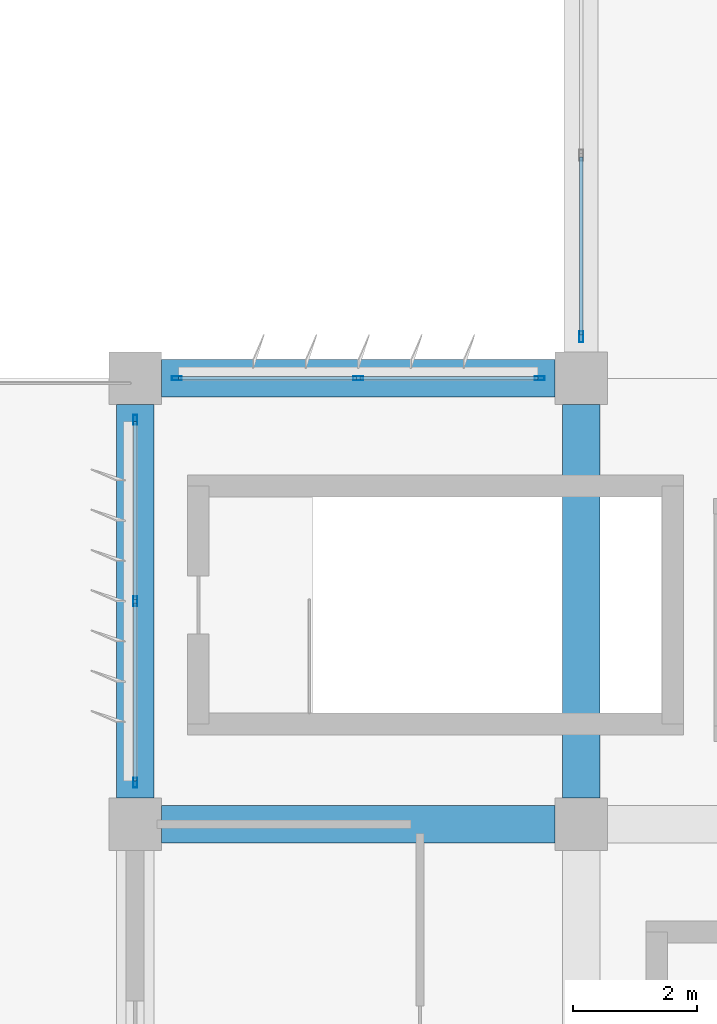
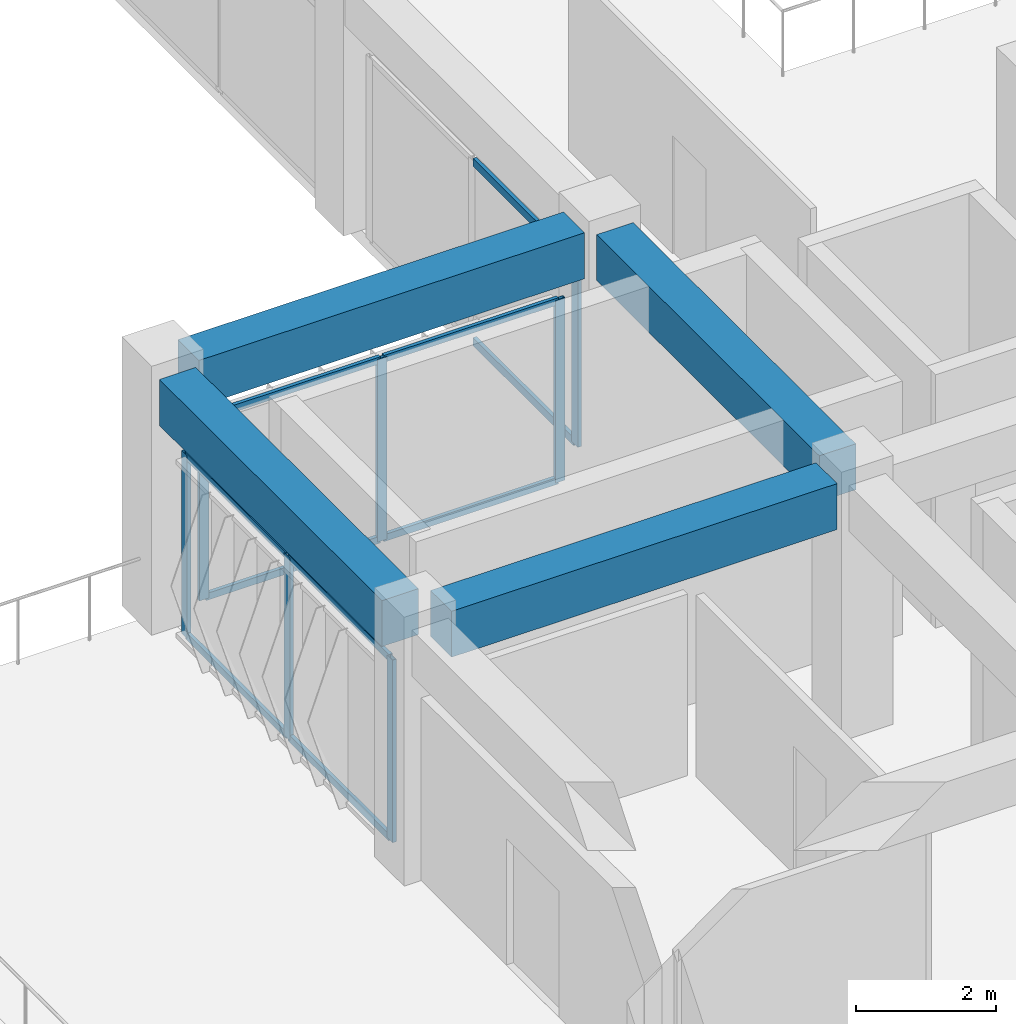
# One storey, part 7 of 55: 17 members, 4 beams, 3 elements without a shape of their own.
"""IFC4 building model written with IfcOpenShell, lengths in metres."""

import ifcopenshell
import ifcopenshell.guid

model = None  # the IFC model being written
_history = None  # IfcOwnerHistory: only IFC2X3 demands one
_inside = {}  # id of a spatial element -> (the spatial element, [elements in it])
_under = {}  # id of a project, library or spatial element -> (it, [spatial elements below it])
_declared = {}  # id of a project -> (the project, [libraries it declares])
_typed = {}  # id of a type object -> (the type object, [elements of that type])
_made_of = {}  # id of a material, layer set ... -> (it, [elements and type objects made of it])


def new_model(schema):
    """Start an empty IFC model of exactly this schema.

    Asked for "IFC4X3", IfcOpenShell would pick the latest addendum, in which some entities
    have other attributes; the version numbers below select the first issue.
    IFC2X3 requires an IfcOwnerHistory on every rooted entity: one is made here for all.
    """
    global model, _history
    if schema == "IFC4X3":
        model = ifcopenshell.file(schema_version=(4, 3, 0, 0))
    else:
        model = ifcopenshell.file(schema=schema)
    _inside.clear()
    _under.clear()
    _declared.clear()
    _typed.clear()
    _made_of.clear()
    _history = None
    if model.schema == "IFC2X3":
        org = make("IfcOrganization", Name="unknown")
        user = make(
            "IfcPersonAndOrganization",
            ThePerson=make("IfcPerson", FamilyName="unknown"),
            TheOrganization=org,
        )
        app = make(
            "IfcApplication",
            ApplicationDeveloper=org,
            Version="unknown",
            ApplicationFullName="unknown",
            ApplicationIdentifier="unknown",
        )
        _history = make(
            "IfcOwnerHistory",
            OwningUser=user,
            OwningApplication=app,
            ChangeAction="ADDED",
            CreationDate=0,
        )
    return model


def make(cls, **values):
    """One entity of the class cls with the attributes given. An attribute that is None is left unset."""
    return model.create_entity(
        cls, **{name: value for name, value in values.items() if value is not None}
    )


def rooted(cls, **values):
    """An entity with a GlobalId (a new one), such as an element, a storey or a relation."""
    return make(cls, GlobalId=ifcopenshell.guid.new(), OwnerHistory=_history, **values)


def si_unit(unit_type, name, prefix=None):
    """IfcSIUnit, for example si_unit("LENGTHUNIT", "METRE", prefix="MILLI")."""
    return make("IfcSIUnit", UnitType=unit_type, Prefix=prefix, Name=name)


def assignment(units):
    """IfcUnitAssignment: the units of a project."""
    return None if units is None else make("IfcUnitAssignment", Units=units)


def point(xyz):
    """IfcCartesianPoint."""
    return None if xyz is None else make("IfcCartesianPoint", Coordinates=xyz)


def direction(xyz):
    """IfcDirection."""
    return None if xyz is None else make("IfcDirection", DirectionRatios=xyz)


def frame(location, z_axis=None, x_axis=None):
    """IfcAxis2Placement3D, a coordinate frame: its origin and axes. An axis left out is left unset."""
    return make(
        "IfcAxis2Placement3D",
        Location=point(location),
        Axis=direction(z_axis),
        RefDirection=direction(x_axis),
    )


def frame_2d(location, x_axis=None):
    """IfcAxis2Placement2D, a coordinate frame in the plane: its origin and x axis."""
    return make(
        "IfcAxis2Placement2D", Location=point(location), RefDirection=direction(x_axis)
    )


def origin():
    """The frame at (0, 0, 0) with its axes left unset."""
    return frame((0.0, 0.0, 0.0))


def origin_2d():
    """The frame at (0, 0) in the plane with its x axis left unset."""
    return frame_2d((0.0, 0.0))


def place(relative_to, where):
    """IfcLocalPlacement: puts the frame where relative to a parent placement (None: the world)."""
    return make(
        "IfcLocalPlacement", PlacementRelTo=relative_to, RelativePlacement=where
    )


def context(
    kind, dimensions, precision=None, world=None, true_north=None, identifier=None
):
    """IfcGeometricRepresentationContext, for example the 3D "Model" context."""
    return make(
        "IfcGeometricRepresentationContext",
        ContextIdentifier=identifier,
        ContextType=kind,
        CoordinateSpaceDimension=dimensions,
        Precision=precision,
        WorldCoordinateSystem=world,
        TrueNorth=true_north,
    )


def subcontext(parent, identifier, kind, view, scale=None):
    """IfcGeometricRepresentationSubContext, for example "Body" below "Model"."""
    return make(
        "IfcGeometricRepresentationSubContext",
        ContextIdentifier=identifier,
        ContextType=kind,
        ParentContext=parent,
        TargetScale=scale,
        TargetView=view,
    )


def project(units=None, contexts=None):
    """IfcProject with its units and contexts."""
    return rooted(
        "IfcProject",
        Name="project",
        RepresentationContexts=contexts,
        UnitsInContext=assignment(units),
    )


def spatial(cls, under=None, at=None, **own):
    """A site, building, storey or space (cls), placed at a placement, below another one or the project."""
    s = rooted(cls, ObjectPlacement=at, **own)
    if under is not None:
        _under.setdefault(under.id(), (under, []))[1].append(s)
    return s


def profile(cls, at=None, kind="AREA", **sizes):
    """A parametric profile (cls). Its sizes go by their IFC names, for example OverallWidth=200.0."""
    return make(cls, ProfileType=kind, Position=at, **sizes)


def rectangle(**sizes):
    """IfcRectangleProfileDef."""
    return profile("IfcRectangleProfileDef", **sizes)


def hollow_rectangle(**sizes):
    """IfcRectangleHollowProfileDef."""
    return profile("IfcRectangleHollowProfileDef", **sizes)


def extrude(swept, where, along, depth):
    """IfcExtrudedAreaSolid: the profile swept, set in the frame where, extruded along a direction by depth."""
    return make(
        "IfcExtrudedAreaSolid",
        SweptArea=swept,
        Position=where,
        ExtrudedDirection=direction(along),
        Depth=depth,
    )


def shape(context_of_items, identifier, shape_type, items):
    """IfcShapeRepresentation: the items that make up one representation, for example the "Body"."""
    return make(
        "IfcShapeRepresentation",
        ContextOfItems=context_of_items,
        RepresentationIdentifier=identifier,
        RepresentationType=shape_type,
        Items=items,
    )


def material(Name=None, Category=None):
    """IfcMaterial."""
    return make("IfcMaterial", Name=Name, Category=Category)


def material_profile(
    of_material, cross_section, Name=None, Category=None, Priority=None
):
    """IfcMaterialProfile: a cross section and its material."""
    return make(
        "IfcMaterialProfile",
        Name=Name,
        Material=of_material,
        Profile=cross_section,
        Priority=Priority,
        Category=Category,
    )


def profile_set(profiles, Name=None, composite=None):
    """IfcMaterialProfileSet."""
    return make(
        "IfcMaterialProfileSet",
        Name=Name,
        MaterialProfiles=profiles,
        CompositeProfile=composite,
    )


def made_of(thing, what):
    """Note that an element or type object is made of a material, layer set ...; save() writes the relation."""
    if what is not None:
        _made_of.setdefault(what.id(), (what, []))[1].append(thing)
    return thing


def type_object(cls, material=None, **own):
    """A type object (cls), such as IfcWallType, which elements share."""
    return made_of(rooted(cls, **own), material)


def element(
    cls,
    number,
    at=None,
    inside=None,
    cuts=None,
    type_object=None,
    material=None,
    context=None,
    identifier="Body",
    shape_type=None,
    held_by="IfcProductDefinitionShape",
    body=None,
    shapes=None,
    **own,
):
    """One element of the class cls, such as IfcWall. Its Tag is "e" and its number.

    at: its placement. inside: the storey or other place that contains it. cuts: it is an
    opening in that element (IfcRelVoidsElement). A single representation is given by context,
    identifier, shape_type and body (its items); several are given by shapes. held_by: the class
    of the entity that holds the representations. save() writes the other relations.
    """
    e = rooted(cls, Tag="e%d" % number, ObjectPlacement=at, **own)
    if body is not None:
        shapes = [shape(context, identifier, shape_type, body)]
    if shapes is not None:
        e.Representation = make(held_by, Representations=shapes)
    if inside is not None:
        _inside.setdefault(inside.id(), (inside, []))[1].append(e)
    if cuts is not None:
        rooted(
            "IfcRelVoidsElement", RelatingBuildingElement=cuts, RelatedOpeningElement=e
        )
    if type_object is not None:
        _typed.setdefault(type_object.id(), (type_object, []))[1].append(e)
    return made_of(e, material)


def aggregate(whole, parts):
    """IfcRelAggregates: a whole, such as a stair, and the parts it consists of."""
    return rooted("IfcRelAggregates", RelatingObject=whole, RelatedObjects=parts)


def save(model, path):
    """Write the relations noted so far, then the file.

    IfcRelAggregates (storeys below a building ...), IfcRelContainedInSpatialStructure (elements
    in a storey), IfcRelDefinesByType, IfcRelAssociatesMaterial and IfcRelDeclares: one each for
    every whole, place, type object, material and project.
    """
    for whole, parts in _under.values():
        aggregate(whole, parts)
    for where, things in _inside.values():
        rooted(
            "IfcRelContainedInSpatialStructure",
            RelatedElements=things,
            RelatingStructure=where,
        )
    for kind, things in _typed.values():
        rooted("IfcRelDefinesByType", RelatedObjects=things, RelatingType=kind)
    for what, things in _made_of.values():
        rooted("IfcRelAssociatesMaterial", RelatedObjects=things, RelatingMaterial=what)
    for by, libraries in _declared.values():
        rooted("IfcRelDeclares", RelatingContext=by, RelatedDefinitions=libraries)
    model.write(path)


model = new_model("IFC4")

# Units and contexts
model_context = context("Model", 3, precision=1e-05, world=origin(), true_north=direction((0.0, 1.0)))
body_context = subcontext(model_context, "Body", "Model", "MODEL_VIEW")
ifc_project = project(units=[si_unit("LENGTHUNIT", "METRE"), si_unit("AREAUNIT", "SQUARE_METRE"), si_unit("VOLUMEUNIT", "CUBIC_METRE"), si_unit("PLANEANGLEUNIT", "RADIAN"), si_unit("MASSUNIT", "GRAM", prefix="KILO")], contexts=[model_context])

# Site, building, storey
site_placement = place(None, origin())
site = spatial("IfcSite", under=ifc_project, at=site_placement, CompositionType="ELEMENT")
building_placement = place(site_placement, origin())
building = spatial("IfcBuilding", under=site, at=building_placement, Name="Kazehaya Institute of Natural Sciences", CompositionType="ELEMENT")
storey_placement = place(building_placement, frame((0.0, 0.0, 15.1201171875)))
storey = spatial("IfcBuildingStorey", under=building, at=storey_placement, Name="L03", CompositionType="ELEMENT", Elevation=15.1201171875)

# Beams
ifc_material_1 = material(Name="Concrete Fc36", Category="concrete")
ifc_material_profile_1 = material_profile(ifc_material_1, rectangle(XDim=0.60009765625, YDim=0.800048828125, at=origin_2d()), Name="RC-600x800")
ifc_profile_set_1 = profile_set([ifc_material_profile_1], Name="Concrete Fc36")
beam_type = type_object("IfcBeamType", Name="BM-G-600x800", PredefinedType="BEAM", material=ifc_profile_set_1)
for number, where, z_axis, x_axis, name in (
    (1, (55.02490234375, 28.39990234375, 4.009765625), (1.0, 0.0, 0.0), (0.0, 1.0, 0.0), "L03 primary X girder BMX-L03-546-284"),
    (2, (55.02490234375, 35.60009765625, 4.009765625), (1.0, 0.0, 0.0), (0.0, 1.0, 0.0), "L03 primary X girder BMX-L03-546-356"),
    (3, (54.60009765625, 28.824951171875, 4.009765625), (0.0, 1.0, 0.0), (-1.0, 0.0, 0.0), "L03 primary Y girder BMY-L03-546-284"),
    (4, (61.800048828125, 28.824951171875, 4.009765625), (0.0, 1.0, 0.0), (-1.0, 0.0, 0.0), "L03 primary Y girder BMY-L03-618-284"),
):
    element("IfcBeam", number, at=place(storey_placement, frame(where, z_axis=z_axis, x_axis=x_axis)), inside=storey, type_object=beam_type, Name=name, PredefinedType="BEAM", context=body_context, shape_type="SweptSolid", body=[
        extrude(rectangle(XDim=0.60009765625, YDim=0.800048828125, at=origin_2d()), origin(), (0.0, 0.0, 1.0), 6.35009765625),
    ])

# Curtain wall, members
ifc_material_2 = material(Name="Aluminium alloy A6063S-T5", Category="aluminium")
curtain_wall_type_1 = type_object("IfcCurtainWallType", Name="CW-SYS-03", PredefinedType="NOTDEFINED", material=ifc_material_2)
curtain_wall_1_placement = place(storey_placement, origin())
curtain_wall_1 = element("IfcCurtainWall", 5, at=curtain_wall_1_placement, inside=storey, type_object=curtain_wall_type_1, Name="L03 unitised curtain wall CW-L03-066", PredefinedType="NOTDEFINED")
ifc_material_profile_2 = material_profile(ifc_material_2, hollow_rectangle(XDim=0.06005859375, YDim=0.159912109375, WallThickness=0.00390625, at=origin_2d()), Name="ALU-60x160x4")
ifc_profile_set_2 = profile_set([ifc_material_profile_2], Name="Aluminium alloy A6063S-T5")
member_type_1 = type_object("IfcMemberType", Name="CWM-160", PredefinedType="MULLION", material=ifc_profile_set_2)
member_1_placement = place(storey_placement, frame((55.27001953125, 35.60009765625, 0.0), z_axis=(0.0, 0.0, 1.0), x_axis=(0.0, 1.0, 0.0)))
member_1 = element("IfcMember", 6, at=member_1_placement, type_object=member_type_1, Name="CW03 mullion 1", PredefinedType="MULLION", context=body_context, shape_type="SweptSolid", body=[
    extrude(hollow_rectangle(XDim=0.06005859375, YDim=0.159912109375, WallThickness=0.00390625, at=origin_2d()), origin(), (0.0, 0.0, 1.0), 3.179931640625),
])
member_2_placement = place(storey_placement, frame((58.199951171875, 35.60009765625, 0.0), z_axis=(0.0, 0.0, 1.0), x_axis=(0.0, 1.0, 0.0)))
member_2 = element("IfcMember", 7, at=member_2_placement, type_object=member_type_1, Name="CW03 mullion 2", PredefinedType="MULLION", context=body_context, shape_type="SweptSolid", body=[
    extrude(hollow_rectangle(XDim=0.06005859375, YDim=0.159912109375, WallThickness=0.00390625, at=origin_2d()), origin(), (0.0, 0.0, 1.0), 3.179931640625),
])
member_3_placement = place(storey_placement, frame((61.1298828125, 35.60009765625, 0.0), z_axis=(0.0, 0.0, 1.0), x_axis=(0.0, 1.0, 0.0)))
member_3 = element("IfcMember", 8, at=member_3_placement, type_object=member_type_1, Name="CW03 mullion 3", PredefinedType="MULLION", context=body_context, shape_type="SweptSolid", body=[
    extrude(hollow_rectangle(XDim=0.06005859375, YDim=0.159912109375, WallThickness=0.00390625, at=origin_2d()), origin(), (0.0, 0.0, 1.0), 3.179931640625),
])

curtain_wall_type_2 = type_object("IfcCurtainWallType", Name="CW-SYS-10", PredefinedType="NOTDEFINED", material=ifc_material_2)
curtain_wall_2_placement = place(storey_placement, origin())
curtain_wall_2 = element("IfcCurtainWall", 9, at=curtain_wall_2_placement, inside=storey, type_object=curtain_wall_type_2, Name="L03 unitised curtain wall CW-L03-073", PredefinedType="NOTDEFINED")
member_4_placement = place(storey_placement, frame((54.60009765625, 29.070068359375, 0.0), z_axis=(0.0, 0.0, 1.0), x_axis=(-1.0, 0.0, 0.0)))
member_4 = element("IfcMember", 10, at=member_4_placement, type_object=member_type_1, Name="CW10 mullion 1", PredefinedType="MULLION", context=body_context, shape_type="SweptSolid", body=[
    extrude(hollow_rectangle(XDim=0.06005859375, YDim=0.159912109375, WallThickness=0.00390625, at=origin_2d()), origin(), (0.0, 0.0, 1.0), 3.179931640625),
])
member_5_placement = place(storey_placement, frame((54.60009765625, 32.0, 0.0), z_axis=(0.0, 0.0, 1.0), x_axis=(-1.0, 0.0, 0.0)))
member_5 = element("IfcMember", 11, at=member_5_placement, type_object=member_type_1, Name="CW10 mullion 2", PredefinedType="MULLION", context=body_context, shape_type="SweptSolid", body=[
    extrude(hollow_rectangle(XDim=0.06005859375, YDim=0.159912109375, WallThickness=0.00390625, at=origin_2d()), origin(), (0.0, 0.0, 1.0), 3.179931640625),
])
member_6_placement = place(storey_placement, frame((54.60009765625, 34.929931640625, 0.0), z_axis=(0.0, 0.0, 1.0), x_axis=(-1.0, 0.0, 0.0)))
member_6 = element("IfcMember", 12, at=member_6_placement, type_object=member_type_1, Name="CW10 mullion 3", PredefinedType="MULLION", context=body_context, shape_type="SweptSolid", body=[
    extrude(hollow_rectangle(XDim=0.06005859375, YDim=0.159912109375, WallThickness=0.00390625, at=origin_2d()), origin(), (0.0, 0.0, 1.0), 3.179931640625),
])

# Curtain wall, member
curtain_wall_type_3 = type_object("IfcCurtainWallType", Name="CW-SYS-04", PredefinedType="NOTDEFINED", material=ifc_material_2)
curtain_wall_3_placement = place(storey_placement, origin())
curtain_wall_3 = element("IfcCurtainWall", 13, at=curtain_wall_3_placement, inside=storey, type_object=curtain_wall_type_3, Name="L03 unitised curtain wall CW-L03-031", PredefinedType="NOTDEFINED")
ifc_material_profile_3 = material_profile(ifc_material_2, hollow_rectangle(XDim=0.06005859375, YDim=0.179931640625, WallThickness=0.00390625, at=origin_2d()), Name="ALU-60x180x4")
ifc_profile_set_3 = profile_set([ifc_material_profile_3], Name="Aluminium alloy A6063S-T5")
member_type_2 = type_object("IfcMemberType", Name="CWM-180", PredefinedType="MULLION", material=ifc_profile_set_3)
member_7_placement = place(storey_placement, frame((61.800048828125, 36.27001953125, 0.0), z_axis=(0.0, 0.0, 1.0), x_axis=(-1.0, 0.0, 0.0)))
member_7 = element("IfcMember", 14, at=member_7_placement, type_object=member_type_2, Name="CW04 mullion 1", PredefinedType="MULLION", context=body_context, shape_type="SweptSolid", body=[
    extrude(hollow_rectangle(XDim=0.06005859375, YDim=0.179931640625, WallThickness=0.00390625, at=origin_2d()), origin(), (0.0, 0.0, 1.0), 3.179931640625),
])

# Member
ifc_material_profile_4 = material_profile(ifc_material_2, hollow_rectangle(XDim=0.06005859375, YDim=0.1201171875, WallThickness=0.00341796875, at=origin_2d()), Name="ALU-60x120x3.5")
ifc_profile_set_4 = profile_set([ifc_material_profile_4], Name="Aluminium alloy A6063S-T5")
member_type_3 = type_object("IfcMemberType", Name="CWT-120", PredefinedType="USERDEFINED", material=ifc_profile_set_4)
member_8_placement = place(storey_placement, frame((55.300048828125, 35.60009765625, 0.02978515625), z_axis=(1.0, 0.0, 0.0), x_axis=(0.0, 1.0, 0.0)))
member_8 = element("IfcMember", 15, at=member_8_placement, type_object=member_type_3, Name="CW03 transom 1.1", ObjectType="TRANSOM", PredefinedType="USERDEFINED", context=body_context, shape_type="SweptSolid", body=[
    extrude(hollow_rectangle(XDim=0.06005859375, YDim=0.1201171875, WallThickness=0.00341796875, at=origin_2d()), origin(), (0.0, 0.0, 1.0), 2.869873046875),
])

member_9_placement = place(storey_placement, frame((55.300048828125, 35.60009765625, 3.14990234375), z_axis=(1.0, 0.0, 0.0), x_axis=(0.0, 1.0, 0.0)))
member_9 = element("IfcMember", 16, at=member_9_placement, type_object=member_type_3, Name="CW03 transom 1.2", ObjectType="TRANSOM", PredefinedType="USERDEFINED", context=body_context, shape_type="SweptSolid", body=[
    extrude(hollow_rectangle(XDim=0.06005859375, YDim=0.1201171875, WallThickness=0.00341796875, at=origin_2d()), origin(), (0.0, 0.0, 1.0), 2.869873046875),
])

member_10_placement = place(storey_placement, frame((58.22998046875, 35.60009765625, 0.02978515625), z_axis=(1.0, 0.0, 0.0), x_axis=(0.0, 1.0, 0.0)))
member_10 = element("IfcMember", 17, at=member_10_placement, type_object=member_type_3, Name="CW03 transom 2.1", ObjectType="TRANSOM", PredefinedType="USERDEFINED", context=body_context, shape_type="SweptSolid", body=[
    extrude(hollow_rectangle(XDim=0.06005859375, YDim=0.1201171875, WallThickness=0.00341796875, at=origin_2d()), origin(), (0.0, 0.0, 1.0), 2.8701171875),
])

member_11_placement = place(storey_placement, frame((58.22998046875, 35.60009765625, 3.14990234375), z_axis=(1.0, 0.0, 0.0), x_axis=(0.0, 1.0, 0.0)))
member_11 = element("IfcMember", 18, at=member_11_placement, type_object=member_type_3, Name="CW03 transom 2.2", ObjectType="TRANSOM", PredefinedType="USERDEFINED", context=body_context, shape_type="SweptSolid", body=[
    extrude(hollow_rectangle(XDim=0.06005859375, YDim=0.1201171875, WallThickness=0.00341796875, at=origin_2d()), origin(), (0.0, 0.0, 1.0), 2.8701171875),
])

aggregate(curtain_wall_1, [member_1, member_2, member_3, member_8, member_9, member_10, member_11])

member_12_placement = place(storey_placement, frame((54.60009765625, 29.10009765625, 0.02978515625), z_axis=(0.0, 1.0, 0.0), x_axis=(-1.0, 0.0, 0.0)))
member_12 = element("IfcMember", 19, at=member_12_placement, type_object=member_type_3, Name="CW10 transom 1.1", ObjectType="TRANSOM", PredefinedType="USERDEFINED", context=body_context, shape_type="SweptSolid", body=[
    extrude(hollow_rectangle(XDim=0.06005859375, YDim=0.1201171875, WallThickness=0.00341796875, at=origin_2d()), origin(), (0.0, 0.0, 1.0), 2.869873046875),
])

member_13_placement = place(storey_placement, frame((54.60009765625, 29.10009765625, 3.14990234375), z_axis=(0.0, 1.0, 0.0), x_axis=(-1.0, 0.0, 0.0)))
member_13 = element("IfcMember", 20, at=member_13_placement, type_object=member_type_3, Name="CW10 transom 1.2", ObjectType="TRANSOM", PredefinedType="USERDEFINED", context=body_context, shape_type="SweptSolid", body=[
    extrude(hollow_rectangle(XDim=0.06005859375, YDim=0.1201171875, WallThickness=0.00341796875, at=origin_2d()), origin(), (0.0, 0.0, 1.0), 2.869873046875),
])

member_14_placement = place(storey_placement, frame((54.60009765625, 32.030029296875, 0.02978515625), z_axis=(0.0, 1.0, 0.0), x_axis=(-1.0, 0.0, 0.0)))
member_14 = element("IfcMember", 21, at=member_14_placement, type_object=member_type_3, Name="CW10 transom 2.1", ObjectType="TRANSOM", PredefinedType="USERDEFINED", context=body_context, shape_type="SweptSolid", body=[
    extrude(hollow_rectangle(XDim=0.06005859375, YDim=0.1201171875, WallThickness=0.00341796875, at=origin_2d()), origin(), (0.0, 0.0, 1.0), 2.869873046875),
])

member_15_placement = place(storey_placement, frame((54.60009765625, 32.030029296875, 3.14990234375), z_axis=(0.0, 1.0, 0.0), x_axis=(-1.0, 0.0, 0.0)))
member_15 = element("IfcMember", 22, at=member_15_placement, type_object=member_type_3, Name="CW10 transom 2.2", ObjectType="TRANSOM", PredefinedType="USERDEFINED", context=body_context, shape_type="SweptSolid", body=[
    extrude(hollow_rectangle(XDim=0.06005859375, YDim=0.1201171875, WallThickness=0.00341796875, at=origin_2d()), origin(), (0.0, 0.0, 1.0), 2.869873046875),
])

aggregate(curtain_wall_2, [member_4, member_5, member_6, member_12, member_13, member_14, member_15])

ifc_material_profile_5 = material_profile(ifc_material_2, hollow_rectangle(XDim=0.06005859375, YDim=0.139892578125, WallThickness=0.00341796875, at=origin_2d()), Name="ALU-60x140x3.5")
ifc_profile_set_5 = profile_set([ifc_material_profile_5], Name="Aluminium alloy A6063S-T5")
member_type_4 = type_object("IfcMemberType", Name="CWT-140", PredefinedType="USERDEFINED", material=ifc_profile_set_5)
member_16_placement = place(storey_placement, frame((61.800048828125, 36.300048828125, 0.02978515625), z_axis=(0.0, 1.0, 0.0), x_axis=(-1.0, 0.0, 0.0)))
member_16 = element("IfcMember", 23, at=member_16_placement, type_object=member_type_4, Name="CW04 transom 1.1", ObjectType="TRANSOM", PredefinedType="USERDEFINED", context=body_context, shape_type="SweptSolid", body=[
    extrude(hollow_rectangle(XDim=0.06005859375, YDim=0.139892578125, WallThickness=0.00341796875, at=origin_2d()), origin(), (0.0, 0.0, 1.0), 2.869873046875),
])

member_17_placement = place(storey_placement, frame((61.800048828125, 36.300048828125, 3.14990234375), z_axis=(0.0, 1.0, 0.0), x_axis=(-1.0, 0.0, 0.0)))
member_17 = element("IfcMember", 24, at=member_17_placement, type_object=member_type_4, Name="CW04 transom 1.2", ObjectType="TRANSOM", PredefinedType="USERDEFINED", context=body_context, shape_type="SweptSolid", body=[
    extrude(hollow_rectangle(XDim=0.06005859375, YDim=0.139892578125, WallThickness=0.00341796875, at=origin_2d()), origin(), (0.0, 0.0, 1.0), 2.869873046875),
])

aggregate(curtain_wall_3, [member_7, member_16, member_17])

save(model, "model.ifc")
